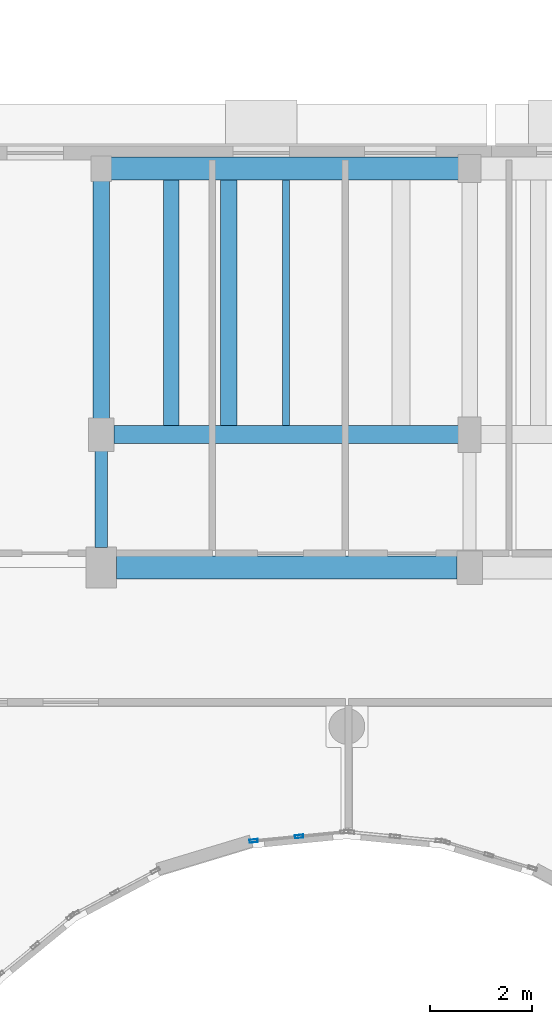
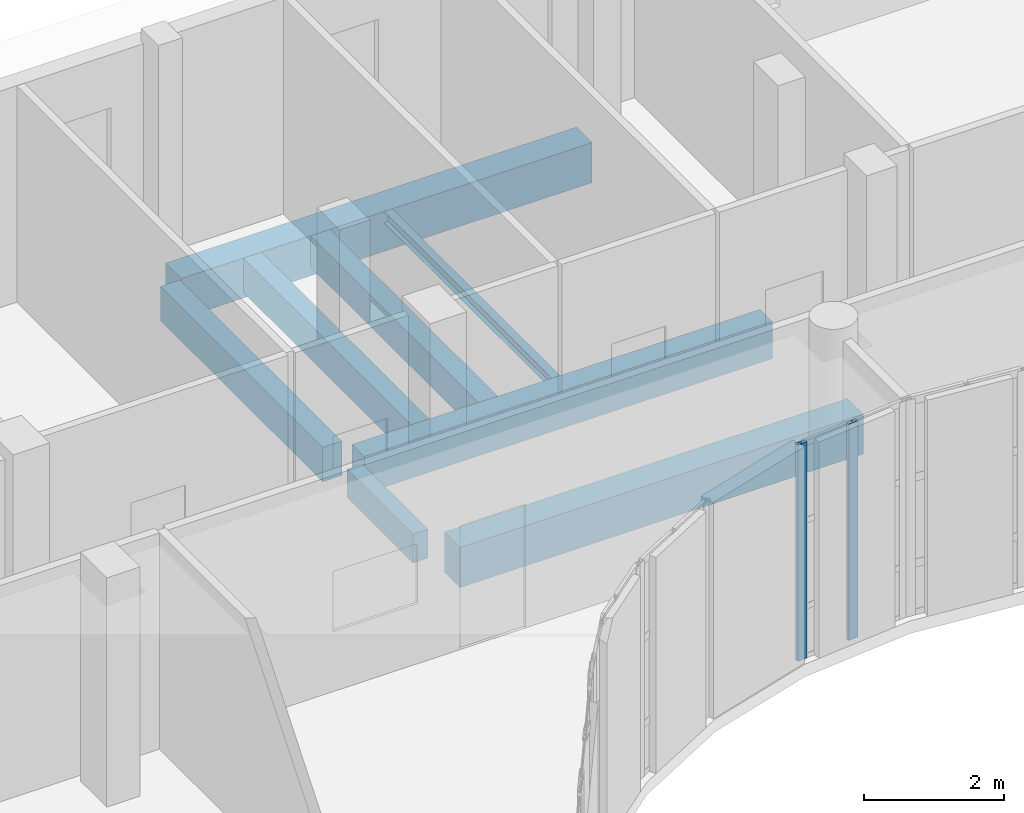
# One storey, part 38 of 92: 8 beams, 2 members, 1 element without a shape of its own.
"""IFC4 building model written with IfcOpenShell, lengths in metres."""

from ifc_helpers import new_model, si_unit, direction, frame, origin, origin_2d, place, context, subcontext, project, spatial, rectangle, hollow_rectangle, i_section, extrude, material, layer, layer_set, material_profile, profile_set, type_object, element, aggregate, save


model = new_model("IFC4")

# Units and contexts
model_context = context("Model", 3, precision=1e-05, world=origin(), true_north=direction((0.0, 1.0)))
body_context = subcontext(model_context, "Body", "Model", "MODEL_VIEW")
ifc_project = project(units=[si_unit("LENGTHUNIT", "METRE"), si_unit("AREAUNIT", "SQUARE_METRE"), si_unit("VOLUMEUNIT", "CUBIC_METRE"), si_unit("PLANEANGLEUNIT", "RADIAN"), si_unit("MASSUNIT", "GRAM", prefix="KILO")], contexts=[model_context])

# Site, building, storey
site_placement = place(None, origin())
site = spatial("IfcSite", under=ifc_project, at=site_placement, CompositionType="ELEMENT")
building_placement = place(site_placement, origin())
building = spatial("IfcBuilding", under=site, at=building_placement, Name="Kelanivale Promenade Academy", CompositionType="ELEMENT")
storey_placement = place(building_placement, frame((0.0, 0.0, 8.199951171875)))
storey = spatial("IfcBuildingStorey", under=building, at=storey_placement, Name="L02", CompositionType="ELEMENT", Elevation=8.199951171875)

# Beams
ifc_material_1 = material(Name="Concrete C35/45", Category="concrete")
ifc_material_profile_1 = material_profile(ifc_material_1, rectangle(XDim=0.449951171875, YDim=0.699951171875, at=origin_2d()), Name="RC-BM 450x700")
ifc_profile_set_1 = profile_set([ifc_material_profile_1], Name="Concrete C35/45")
beam_type_1 = type_object("IfcBeamType", Name="BM-03 RC-BM 450x700", PredefinedType="BEAM", material=ifc_profile_set_1)
beam_1_placement = place(storey_placement, frame((94.294921875, 71.60009765625, -0.570068359375), z_axis=(1.0, 0.0, 0.0), x_axis=(0.0, 1.0, 0.0)))
element("IfcBeam", 1, at=beam_1_placement, inside=storey, type_object=beam_type_1, Name="L02 girder BM-03", PredefinedType="BEAM", context=body_context, shape_type="SweptSolid", body=[
    extrude(rectangle(XDim=0.449951171875, YDim=0.699951171875, at=origin_2d()), origin(), (0.0, 0.0, 1.0), 6.66015625),
])
beam_2_placement = place(storey_placement, frame((94.195068359375, 79.39990234375, -0.570068359375), z_axis=(1.0, 0.0, 0.0), x_axis=(0.0, 1.0, 0.0)))
element("IfcBeam", 2, at=beam_2_placement, inside=storey, type_object=beam_type_1, Name="L02 girder BM-03", PredefinedType="BEAM", context=body_context, shape_type="SweptSolid", body=[
    extrude(rectangle(XDim=0.449951171875, YDim=0.699951171875, at=origin_2d()), origin(), (0.0, 0.0, 1.0), 6.784912109375),
])
ifc_material_profile_2 = material_profile(ifc_material_1, rectangle(XDim=0.35009765625, YDim=0.64990234375, at=origin_2d()), Name="RC-BM 350x650")
ifc_profile_set_2 = profile_set([ifc_material_profile_2], Name="Concrete C35/45")
beam_type_2 = type_object("IfcBeamType", Name="BM-10 RC-BM 350x650", PredefinedType="BEAM", material=ifc_profile_set_2)
beam_3_placement = place(storey_placement, frame((94.2451171875, 74.199951171875, -0.544921875), z_axis=(1.0, 0.0, 0.0), x_axis=(0.0, 1.0, 0.0)))
element("IfcBeam", 3, at=beam_3_placement, inside=storey, type_object=beam_type_2, Name="L02 girder BM-10", PredefinedType="BEAM", context=body_context, shape_type="SweptSolid", body=[
    extrude(rectangle(XDim=0.35009765625, YDim=0.64990234375, at=origin_2d()), origin(), (0.0, 0.0, 1.0), 6.73486328125),
])

# Curtain wall, members
ifc_material_2 = material(Name="Bronze anodised aluminium and solar-control low-E glass", Category="aluminium")
ifc_layer = layer(ifc_material_2, 0.169921875)
ifc_layer_set = layer_set([ifc_layer], Name="Bronze anodised aluminium and solar-control low-E glass")
curtain_wall_type = type_object("IfcCurtainWallType", Name="CW-13 Curtain Wall 1350mm Module", PredefinedType="USERDEFINED", material=ifc_layer_set)
curtain_wall_placement = place(storey_placement, origin())
curtain_wall = element("IfcCurtainWall", 4, at=curtain_wall_placement, inside=storey, type_object=curtain_wall_type, Name="L02 courtyard curtain wall CW-13", ObjectType="COURTYARD SCREEN GLAZING", PredefinedType="USERDEFINED")
ifc_material_3 = material(Name="Bronze anodised aluminium EN AW-6063 T6", Category="aluminium")
ifc_material_profile_3 = material_profile(ifc_material_3, hollow_rectangle(XDim=0.06005859375, YDim=0.159912109375, WallThickness=0.00390625, at=origin_2d()), Name="ALU 60x160x4.0")
ifc_profile_set_3 = profile_set([ifc_material_profile_3], Name="Bronze anodised aluminium EN AW-6063 T6")
member_type = type_object("IfcMemberType", Name="CWM-01 ALU 60x160x4.0", PredefinedType="MULLION", material=ifc_profile_set_3)
member_1_placement = place(storey_placement, frame((97.866943359375, 66.347900390625, 0.0), z_axis=(0.0, 0.0, 1.0), x_axis=(0.098538762159, -0.99513321337, 0.0)))
member_1 = element("IfcMember", 5, at=member_1_placement, type_object=member_type, Name="CW-13 mullion 2", PredefinedType="MULLION", context=body_context, shape_type="SweptSolid", body=[
    extrude(hollow_rectangle(XDim=0.06005859375, YDim=0.159912109375, WallThickness=0.00390625, at=origin_2d()), origin(), (0.0, 0.0, 1.0), 3.780029296875),
])
member_2_placement = place(storey_placement, frame((96.977783203125, 66.260009765625, 0.0), z_axis=(0.0, 0.0, 1.0), x_axis=(0.098538762159, -0.99513321337, 0.0)))
member_2 = element("IfcMember", 6, at=member_2_placement, type_object=member_type, Name="CW-13 mullion 3", PredefinedType="MULLION", context=body_context, shape_type="SweptSolid", body=[
    extrude(hollow_rectangle(XDim=0.06005859375, YDim=0.159912109375, WallThickness=0.00390625, at=origin_2d()), origin(), (0.0, 0.0, 1.0), 3.780029296875),
])
aggregate(curtain_wall, [member_1, member_2])

# Beams
ifc_material_profile_4 = material_profile(ifc_material_1, rectangle(XDim=0.300048828125, YDim=0.60009765625, at=origin_2d()), Name="RC-BM 300x600")
ifc_profile_set_4 = profile_set([ifc_material_profile_4], Name="Concrete C35/45")
beam_type_3 = type_object("IfcBeamType", Name="JS-03 RC-BM 300x600", PredefinedType="JOIST", material=ifc_profile_set_4)
beam_4_placement = place(storey_placement, frame((95.367919921875, 74.375, -0.52001953125), z_axis=(0.0, 1.0, 0.0), x_axis=(-1.0, 0.0, 0.0)))
element("IfcBeam", 7, at=beam_4_placement, inside=storey, type_object=beam_type_3, Name="L02 secondary sub-beam JS-03", PredefinedType="JOIST", context=body_context, shape_type="SweptSolid", body=[
    extrude(rectangle(XDim=0.300048828125, YDim=0.60009765625, at=origin_2d()), origin(), (0.0, 0.0, 1.0), 4.800048828125),
])
ifc_material_profile_5 = material_profile(ifc_material_1, rectangle(XDim=0.320068359375, YDim=0.550048828125, at=origin_2d()), Name="RC-BM 320x550")
ifc_profile_set_5 = profile_set([ifc_material_profile_5], Name="Concrete C35/45")
beam_type_4 = type_object("IfcBeamType", Name="JS-04 RC-BM 320x550", PredefinedType="JOIST", material=ifc_profile_set_5)
beam_5_placement = place(storey_placement, frame((96.489990234375, 74.375, -0.494873046875), z_axis=(0.0, 1.0, 0.0), x_axis=(-1.0, 0.0, 0.0)))
element("IfcBeam", 8, at=beam_5_placement, inside=storey, type_object=beam_type_4, Name="L02 secondary sub-beam JS-04", PredefinedType="JOIST", context=body_context, shape_type="SweptSolid", body=[
    extrude(rectangle(XDim=0.320068359375, YDim=0.550048828125, at=origin_2d()), origin(), (0.0, 0.0, 1.0), 4.800048828125),
])
ifc_material_profile_6 = material_profile(ifc_material_1, rectangle(XDim=0.320068359375, YDim=0.60009765625, at=origin_2d()), Name="RC-BM 320x600")
ifc_profile_set_6 = profile_set([ifc_material_profile_6], Name="Concrete C35/45")
beam_type_5 = type_object("IfcBeamType", Name="JS-05 RC-BM 320x600", PredefinedType="JOIST", material=ifc_profile_set_6)
beam_6_placement = place(storey_placement, frame((94.0, 74.52001953125, -0.52001953125), z_axis=(0.0, 1.0, 0.0), x_axis=(-1.0, 0.0, 0.0)))
element("IfcBeam", 9, at=beam_6_placement, inside=storey, type_object=beam_type_5, Name="L02 beam JS-05", PredefinedType="JOIST", context=body_context, shape_type="SweptSolid", body=[
    extrude(rectangle(XDim=0.320068359375, YDim=0.60009765625, at=origin_2d()), origin(), (0.0, 0.0, 1.0), 4.635009765625),
])
ifc_material_profile_7 = material_profile(ifc_material_1, rectangle(XDim=0.25, YDim=0.5, at=origin_2d()), Name="RC-BM 250x500")
ifc_profile_set_7 = profile_set([ifc_material_profile_7], Name="Concrete C35/45")
beam_type_6 = type_object("IfcBeamType", Name="LN-02 RC-BM 250x500", PredefinedType="LINTEL", material=ifc_profile_set_7)
beam_7_placement = place(storey_placement, frame((94.0, 71.9951171875, -0.469970703125), z_axis=(0.0, 1.0, 0.0), x_axis=(-1.0, 0.0, 0.0)))
element("IfcBeam", 10, at=beam_7_placement, inside=storey, type_object=beam_type_6, Name="L02 beam LN-02", PredefinedType="LINTEL", context=body_context, shape_type="SweptSolid", body=[
    extrude(rectangle(XDim=0.25, YDim=0.5, at=origin_2d()), origin(), (0.0, 0.0, 1.0), 1.884765625),
])
ifc_material_4 = material(Name="Steel S355", Category="steel")
ifc_material_profile_8 = material_profile(ifc_material_4, i_section(OverallWidth=0.13330078125, OverallDepth=0.203125, WebThickness=0.005615234375, FlangeThickness=0.0078125, FilletRadius=0.007568359375, at=origin_2d()), Name="UB 203x133x25")
ifc_profile_set_8 = profile_set([ifc_material_profile_8], Name="Steel S355")
beam_type_7 = type_object("IfcBeamType", Name="SB-01 UB 203x133x25", PredefinedType="JOIST", material=ifc_profile_set_8)
beam_8_placement = place(storey_placement, frame((97.613037109375, 74.375, -0.322021484375), z_axis=(0.0, 1.0, 0.0), x_axis=(-1.0, 0.0, 0.0)))
element("IfcBeam", 11, at=beam_8_placement, inside=storey, type_object=beam_type_7, Name="L02 secondary sub-beam SB-01", PredefinedType="JOIST", context=body_context, shape_type="SweptSolid", body=[
    extrude(i_section(OverallWidth=0.13330078125, OverallDepth=0.203125, WebThickness=0.005615234375, FlangeThickness=0.0078125, FilletRadius=0.007568359375, at=origin_2d()), origin(), (0.0, 0.0, 1.0), 4.800048828125),
])

save(model, "model.ifc")
